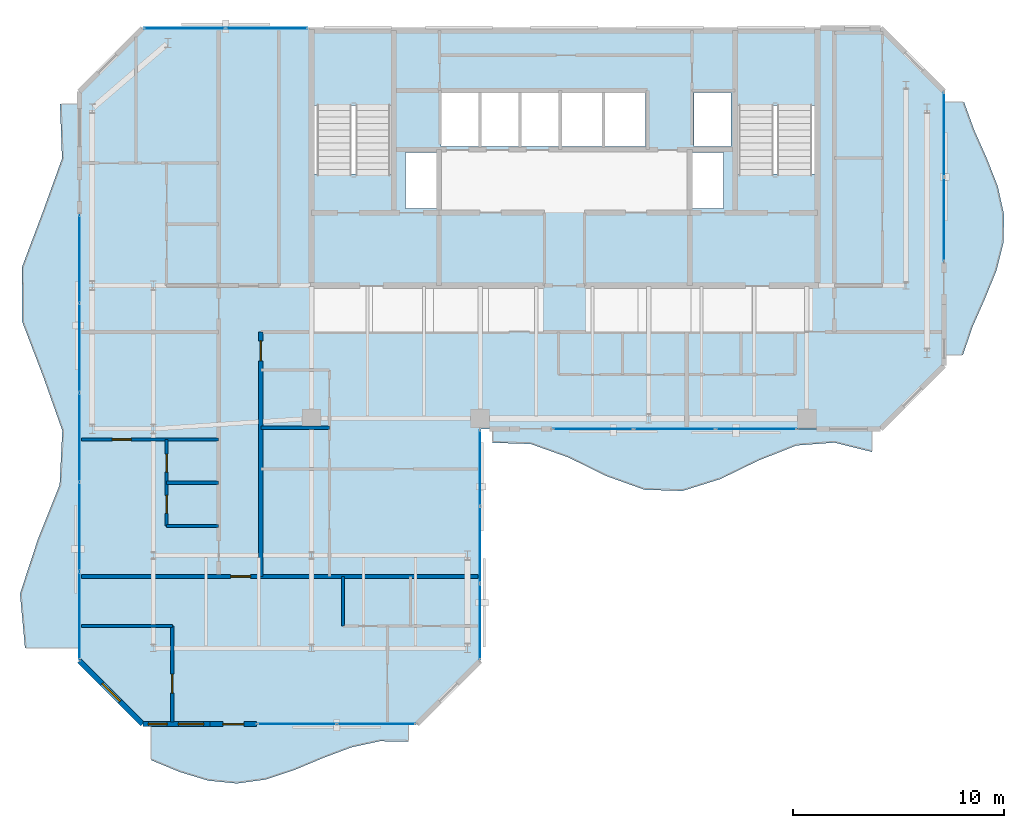
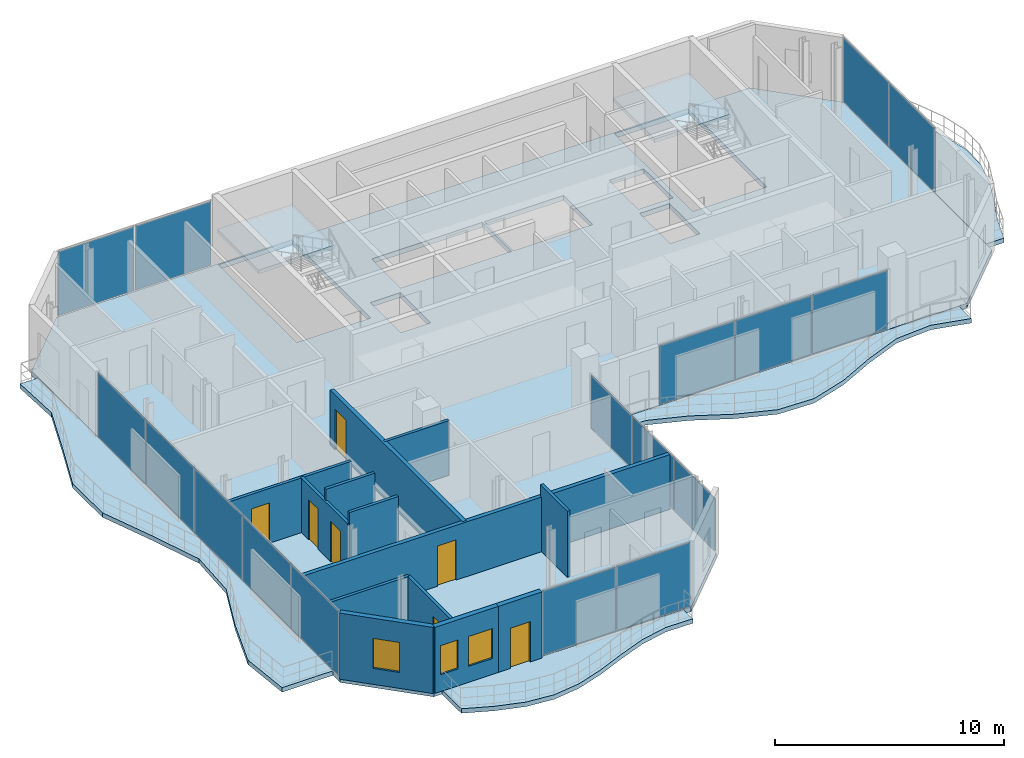
# One storey, part 17 of 22: 17 plates, 13 walls, 7 doors, 7 slabs, 3 windows, 10 openings, 8 elements without a shape of their own.
"""IFC4 building model written with IfcOpenShell, lengths in metres."""

from ifc_helpers import new_model, si_unit, direction, frame, frame_2d, origin, origin_2d, place, context, subcontext, project, spatial, polyline, rectangle, outline, extrude, material, layer, layer_set, type_object, element, fill, aggregate, save


model = new_model("IFC4")

# Units and contexts
model_context = context("Model", 3, precision=1e-05, world=origin(), true_north=direction((0.0, 1.0)))
body_context = subcontext(model_context, "Body", "Model", "MODEL_VIEW")
ifc_project = project(units=[si_unit("LENGTHUNIT", "METRE"), si_unit("AREAUNIT", "SQUARE_METRE"), si_unit("VOLUMEUNIT", "CUBIC_METRE"), si_unit("PLANEANGLEUNIT", "RADIAN"), si_unit("MASSUNIT", "GRAM", prefix="KILO")], contexts=[model_context])

# Site, building, storey
site_placement = place(None, origin())
site = spatial("IfcSite", under=ifc_project, at=site_placement, CompositionType="ELEMENT")
building_placement = place(site_placement, origin())
building = spatial("IfcBuilding", under=site, at=building_placement, Name="Catumbela Crestline Tower", CompositionType="ELEMENT")
storey_placement = place(building_placement, frame((0.0, 0.0, 226.0)))
storey = spatial("IfcBuildingStorey", under=building, at=storey_placement, Name="L58", CompositionType="ELEMENT", Elevation=226.0)

# Curtain wall, plates
ifc_material_1 = material(Name="Aluminium alloy AW-6060-T66", Category="aluminium")
ifc_layer_1 = layer(ifc_material_1, 0.18, Name="Aluminium alloy AW-6060-T66")
ifc_layer_set_1 = layer_set([ifc_layer_1], Name="Aluminium alloy AW-6060-T66")
curtain_wall_type = type_object("IfcCurtainWallType", Name="CWU-Z4", PredefinedType="USERDEFINED", material=ifc_layer_set_1)
curtain_wall_1_placement = place(storey_placement, origin())
curtain_wall_1 = element("IfcCurtainWall", 1, at=curtain_wall_1_placement, inside=storey, type_object=curtain_wall_type, Name="L58 Unitised Curtain Wall CW-L58-E0S2", ObjectType="UNITISED", PredefinedType="USERDEFINED")
ifc_material_2 = material(Name="Low-E laminated solar-control double glazing", Category="glass")
ifc_layer_2 = layer(ifc_material_2, 0.036, Name="Low-E laminated solar-control double glazing")
ifc_layer_set_2 = layer_set([ifc_layer_2], Name="Low-E laminated solar-control double glazing")
plate_type = type_object("IfcPlateType", Name="PNL-GLZ-Z4", PredefinedType="CURTAIN_PANEL", material=ifc_layer_set_2)
plate_1_placement = place(storey_placement, frame((15.3162, 10.0, 0.06), z_axis=(0.0, 0.0, 1.0), x_axis=(1.0, 0.0, 0.0)))
plate_1 = element("IfcPlate", 2, at=plate_1_placement, type_object=plate_type, Name="CWU-Z4 panel 1.1", PredefinedType="CURTAIN_PANEL", context=body_context, shape_type="SweptSolid", body=[
    extrude(rectangle(XDim=3.7025, YDim=0.034, at=origin_2d()), origin(), (0.0, 0.0, 1.0), 3.41),
])
plate_2_placement = place(storey_placement, frame((19.0837, 10.0, 0.06), z_axis=(0.0, 0.0, 1.0), x_axis=(1.0, 0.0, 0.0)))
plate_2 = element("IfcPlate", 3, at=plate_2_placement, type_object=plate_type, Name="CWU-Z4 panel 2.1", PredefinedType="CURTAIN_PANEL", context=body_context, shape_type="SweptSolid", body=[
    extrude(rectangle(XDim=3.7025, YDim=0.034, at=origin_2d()), origin(), (0.0, 0.0, 1.0), 3.41),
])
aggregate(curtain_wall_1, [plate_1, plate_2])

curtain_wall_2_placement = place(storey_placement, origin())
curtain_wall_2 = element("IfcCurtainWall", 4, at=curtain_wall_2_placement, inside=storey, type_object=curtain_wall_type, Name="L58 Unitised Curtain Wall CW-L58-E2S1", ObjectType="UNITISED", PredefinedType="USERDEFINED")
plate_3_placement = place(storey_placement, frame((24.0, 14.8496, 0.06), z_axis=(0.0, 0.0, 1.0), x_axis=(0.0, 1.0, 0.0)))
plate_3 = element("IfcPlate", 5, at=plate_3_placement, type_object=plate_type, Name="CWU-Z4 panel 1.1", PredefinedType="CURTAIN_PANEL", context=body_context, shape_type="SweptSolid", body=[
    extrude(rectangle(XDim=3.5692, YDim=0.034, at=origin_2d()), origin(), (0.0, 0.0, 1.0), 2.8),
])
plate_4_placement = place(storey_placement, frame((24.0, 18.5, 0.06), z_axis=(0.0, 0.0, 1.0), x_axis=(0.0, 1.0, 0.0)))
plate_4 = element("IfcPlate", 6, at=plate_4_placement, type_object=plate_type, Name="CWU-Z4 panel 2.1", PredefinedType="CURTAIN_PANEL", context=body_context, shape_type="SweptSolid", body=[
    extrude(rectangle(XDim=3.6017, YDim=0.034, at=origin_2d()), origin(), (0.0, 0.0, 1.0), 2.8),
])
plate_5_placement = place(storey_placement, frame((24.0, 22.1504, 0.06), z_axis=(0.0, 0.0, 1.0), x_axis=(0.0, 1.0, 0.0)))
plate_5 = element("IfcPlate", 7, at=plate_5_placement, type_object=plate_type, Name="CWU-Z4 panel 3.1", PredefinedType="CURTAIN_PANEL", context=body_context, shape_type="SweptSolid", body=[
    extrude(rectangle(XDim=3.5692, YDim=0.034, at=origin_2d()), origin(), (0.0, 0.0, 1.0), 2.8),
])
aggregate(curtain_wall_2, [plate_3, plate_4, plate_5])

curtain_wall_3_placement = place(storey_placement, origin())
curtain_wall_3 = element("IfcCurtainWall", 8, at=curtain_wall_3_placement, inside=storey, type_object=curtain_wall_type, Name="L58 Unitised Curtain Wall CW-L58-E3S2", ObjectType="UNITISED", PredefinedType="USERDEFINED")
plate_6_placement = place(storey_placement, frame((29.3579, 24.0, 0.06), z_axis=(0.0, 0.0, 1.0), x_axis=(1.0, 0.0, 0.0)))
plate_6 = element("IfcPlate", 9, at=plate_6_placement, type_object=plate_type, Name="CWU-Z4 panel 1.1", PredefinedType="CURTAIN_PANEL", context=body_context, shape_type="SweptSolid", body=[
    extrude(rectangle(XDim=3.7858, YDim=0.034, at=origin_2d()), origin(), (0.0, 0.0, 1.0), 3.12),
])
plate_7_placement = place(storey_placement, frame((33.225, 24.0, 0.06), z_axis=(0.0, 0.0, 1.0), x_axis=(1.0, 0.0, 0.0)))
plate_7 = element("IfcPlate", 10, at=plate_7_placement, type_object=plate_type, Name="CWU-Z4 panel 2.1", PredefinedType="CURTAIN_PANEL", context=body_context, shape_type="SweptSolid", body=[
    extrude(rectangle(XDim=3.8183, YDim=0.034, at=origin_2d()), origin(), (0.0, 0.0, 1.0), 3.12),
])
plate_8_placement = place(storey_placement, frame((37.0921, 24.0, 0.06), z_axis=(0.0, 0.0, 1.0), x_axis=(1.0, 0.0, 0.0)))
plate_8 = element("IfcPlate", 11, at=plate_8_placement, type_object=plate_type, Name="CWU-Z4 panel 3.1", PredefinedType="CURTAIN_PANEL", context=body_context, shape_type="SweptSolid", body=[
    extrude(rectangle(XDim=3.7858, YDim=0.034, at=origin_2d()), origin(), (0.0, 0.0, 1.0), 3.12),
])
aggregate(curtain_wall_3, [plate_6, plate_7, plate_8])

curtain_wall_4_placement = place(storey_placement, origin())
curtain_wall_4 = element("IfcCurtainWall", 12, at=curtain_wall_4_placement, inside=storey, type_object=curtain_wall_type, Name="L58 Unitised Curtain Wall CW-L58-E5S2", ObjectType="UNITISED", PredefinedType="USERDEFINED")
plate_9_placement = place(storey_placement, frame((46.0, 33.9412, 0.06), z_axis=(0.0, 0.0, 1.0), x_axis=(0.0, 1.0, 0.0)))
plate_9 = element("IfcPlate", 13, at=plate_9_placement, type_object=plate_type, Name="CWU-Z4 panel 1.1", PredefinedType="CURTAIN_PANEL", context=body_context, shape_type="SweptSolid", body=[
    extrude(rectangle(XDim=3.9525, YDim=0.034, at=origin_2d()), origin(), (0.0, 0.0, 1.0), 3.41),
])
plate_10_placement = place(storey_placement, frame((46.0, 37.9588, 0.06), z_axis=(0.0, 0.0, 1.0), x_axis=(0.0, 1.0, 0.0)))
plate_10 = element("IfcPlate", 14, at=plate_10_placement, type_object=plate_type, Name="CWU-Z4 panel 2.1", PredefinedType="CURTAIN_PANEL", context=body_context, shape_type="SweptSolid", body=[
    extrude(rectangle(XDim=3.9525, YDim=0.034, at=origin_2d()), origin(), (0.0, 0.0, 1.0), 3.41),
])
aggregate(curtain_wall_4, [plate_9, plate_10])

curtain_wall_5_placement = place(storey_placement, origin())
curtain_wall_5 = element("IfcCurtainWall", 15, at=curtain_wall_5_placement, inside=storey, type_object=curtain_wall_type, Name="L58 Unitised Curtain Wall CW-L58-E7S2", ObjectType="UNITISED", PredefinedType="USERDEFINED")
plate_11_placement = place(storey_placement, frame((13.8788, 43.0, 0.06), z_axis=(0.0, 0.0, 1.0), x_axis=(-1.0, 0.0, 0.0)))
plate_11 = element("IfcPlate", 16, at=plate_11_placement, type_object=plate_type, Name="CWU-Z4 panel 1.1", PredefinedType="CURTAIN_PANEL", context=body_context, shape_type="SweptSolid", body=[
    extrude(rectangle(XDim=3.8325, YDim=0.034, at=origin_2d()), origin(), (0.0, 0.0, 1.0), 3.41),
])
plate_12_placement = place(storey_placement, frame((9.9812, 43.0, 0.06), z_axis=(0.0, 0.0, 1.0), x_axis=(-1.0, 0.0, 0.0)))
plate_12 = element("IfcPlate", 17, at=plate_12_placement, type_object=plate_type, Name="CWU-Z4 panel 2.1", PredefinedType="CURTAIN_PANEL", context=body_context, shape_type="SweptSolid", body=[
    extrude(rectangle(XDim=3.8325, YDim=0.034, at=origin_2d()), origin(), (0.0, 0.0, 1.0), 3.41),
])
aggregate(curtain_wall_5, [plate_11, plate_12])

curtain_wall_6_placement = place(storey_placement, origin())
curtain_wall_6 = element("IfcCurtainWall", 18, at=curtain_wall_6_placement, inside=storey, type_object=curtain_wall_type, Name="L58 Unitised Curtain Wall CW-L58-E9S2", ObjectType="UNITISED", PredefinedType="USERDEFINED")
plate_13_placement = place(storey_placement, frame((5.0, 32.0638, 0.06), z_axis=(0.0, 0.0, 1.0), x_axis=(0.0, -1.0, 0.0)))
plate_13 = element("IfcPlate", 19, at=plate_13_placement, type_object=plate_type, Name="CWU-Z4 panel 1.1", PredefinedType="CURTAIN_PANEL", context=body_context, shape_type="SweptSolid", body=[
    extrude(rectangle(XDim=4.1425, YDim=0.034, at=origin_2d()), origin(), (0.0, 0.0, 1.0), 3.41),
])
plate_14_placement = place(storey_placement, frame((5.0, 27.84, 0.06), z_axis=(0.0, 0.0, 1.0), x_axis=(0.0, -1.0, 0.0)))
plate_14 = element("IfcPlate", 20, at=plate_14_placement, type_object=plate_type, Name="CWU-Z4 panel 2.1", PredefinedType="CURTAIN_PANEL", context=body_context, shape_type="SweptSolid", body=[
    extrude(rectangle(XDim=4.175, YDim=0.034, at=origin_2d()), origin(), (0.0, 0.0, 1.0), 3.41),
])
plate_15_placement = place(storey_placement, frame((5.0, 23.6, 0.06), z_axis=(0.0, 0.0, 1.0), x_axis=(0.0, -1.0, 0.0)))
plate_15 = element("IfcPlate", 21, at=plate_15_placement, type_object=plate_type, Name="CWU-Z4 panel 3.1", PredefinedType="CURTAIN_PANEL", context=body_context, shape_type="SweptSolid", body=[
    extrude(rectangle(XDim=4.175, YDim=0.034, at=origin_2d()), origin(), (0.0, 0.0, 1.0), 3.41),
])
plate_16_placement = place(storey_placement, frame((5.0, 19.36, 0.06), z_axis=(0.0, 0.0, 1.0), x_axis=(0.0, -1.0, 0.0)))
plate_16 = element("IfcPlate", 22, at=plate_16_placement, type_object=plate_type, Name="CWU-Z4 panel 4.1", PredefinedType="CURTAIN_PANEL", context=body_context, shape_type="SweptSolid", body=[
    extrude(rectangle(XDim=4.175, YDim=0.034, at=origin_2d()), origin(), (0.0, 0.0, 1.0), 3.41),
])
plate_17_placement = place(storey_placement, frame((5.0, 15.1362, 0.06), z_axis=(0.0, 0.0, 1.0), x_axis=(0.0, -1.0, 0.0)))
plate_17 = element("IfcPlate", 23, at=plate_17_placement, type_object=plate_type, Name="CWU-Z4 panel 5.1", PredefinedType="CURTAIN_PANEL", context=body_context, shape_type="SweptSolid", body=[
    extrude(rectangle(XDim=4.1425, YDim=0.034, at=origin_2d()), origin(), (0.0, 0.0, 1.0), 3.41),
])
aggregate(curtain_wall_6, [plate_13, plate_14, plate_15, plate_16, plate_17])

# Stair, slab
ifc_material_3 = material(Name="Concrete C45/55", Category="concrete")
stair_type = type_object("IfcStairType", Name="ST-DLG", PredefinedType="HALF_TURN_STAIR", material=ifc_material_3)
stair_1_placement = place(storey_placement, origin())
stair_1 = element("IfcStair", 24, at=stair_1_placement, inside=storey, type_object=stair_type, Name="L58 West Core Pressurised Exit Stair ST-01", PredefinedType="HALF_TURN_STAIR")
ifc_layer_3 = layer(ifc_material_3, 0.2, Name="Concrete C45/55")
ifc_layer_set_3 = layer_set([ifc_layer_3], Name="Concrete C45/55")
slab_type_1 = type_object("IfcSlabType", Name="SL-LND", PredefinedType="LANDING", material=ifc_layer_set_3)
slab_1_placement = place(storey_placement, frame((0.0, 0.0, 1.7)))
slab_1 = element("IfcSlab", 25, at=slab_1_placement, type_object=slab_type_1, Name="ST-01 landing 1", PredefinedType="LANDING", context=body_context, shape_type="SweptSolid", body=[
    extrude(outline(polyline([(19.91, 39.33), (19.91, 42.96), (16.09, 42.96), (16.09, 39.33), (19.91, 39.33)])), origin(), (0.0, 0.0, 1.0), 0.2),
])
aggregate(stair_1, [slab_1])

stair_2_placement = place(storey_placement, origin())
stair_2 = element("IfcStair", 26, at=stair_2_placement, inside=storey, type_object=stair_type, Name="L58 East Core Pressurised Exit Stair ST-02", PredefinedType="HALF_TURN_STAIR")
slab_2_placement = place(storey_placement, frame((0.0, 0.0, 1.7)))
slab_2 = element("IfcSlab", 27, at=slab_2_placement, type_object=slab_type_1, Name="ST-02 landing 1", PredefinedType="LANDING", context=body_context, shape_type="SweptSolid", body=[
    extrude(outline(polyline([(39.91, 39.33), (39.91, 42.96), (36.09, 42.96), (36.09, 39.33), (39.91, 39.33)])), origin(), (0.0, 0.0, 1.0), 0.2),
])
aggregate(stair_2, [slab_2])

# Slabs
ifc_layer_4 = layer(ifc_material_3, 0.26, Name="Concrete C45/55")
ifc_layer_set_4 = layer_set([ifc_layer_4], Name="Concrete C45/55")
slab_type_2 = type_object("IfcSlabType", Name="SL-260", PredefinedType="FLOOR", material=ifc_layer_set_4)
slab_3_placement = place(storey_placement, frame((0.0, 0.0, -0.26)))
element("IfcSlab", 28, at=slab_3_placement, inside=storey, type_object=slab_type_2, Name="L58 Structural Floor Slab", PredefinedType="FLOOR", context=body_context, shape_type="SweptSolid", body=[
    extrude(outline(polyline([(8.0, 10.0), (21.0, 10.0), (24.0, 13.0), (24.0, 24.0), (43.0, 24.0), (46.0, 27.0), (46.0, 40.0), (43.0, 43.0), (8.0, 43.0), (5.0, 40.0), (5.0, 13.0), (8.0, 10.0)]), holes=[polyline([(16.13, 36.08), (19.87, 36.08), (19.87, 42.92), (16.13, 42.92), (16.13, 36.08)]), polyline([(36.13, 36.08), (39.87, 36.08), (39.87, 42.92), (36.13, 42.92), (36.13, 36.08)]), polyline([(22.15, 37.4), (27.75, 37.4), (27.75, 39.95), (22.15, 39.95), (22.15, 37.4)]), polyline([(27.85, 37.4), (31.85, 37.4), (31.85, 39.95), (27.85, 39.95), (27.85, 37.4)]), polyline([(20.45, 34.45), (21.95, 34.45), (21.95, 37.1), (20.45, 37.1), (20.45, 34.45)]), polyline([(34.05, 34.45), (35.55, 34.45), (35.55, 37.1), (34.05, 37.1), (34.05, 34.45)]), polyline([(34.15, 37.4), (35.9, 37.4), (35.9, 39.95), (34.15, 39.95), (34.15, 37.4)])]), origin(), (0.0, 0.0, 1.0), 0.26),
])
ifc_layer_5 = layer(ifc_material_3, 0.24, Name="Concrete C45/55")
ifc_layer_set_5 = layer_set([ifc_layer_5], Name="Concrete C45/55")
slab_type_3 = type_object("IfcSlabType", Name="SB-240W", PredefinedType="USERDEFINED", material=ifc_layer_set_5)
slab_4_placement = place(storey_placement, frame((0.0, 0.0, -0.24)))
element("IfcSlab", 29, at=slab_4_placement, inside=storey, type_object=slab_type_3, Name="L58 Cantilevered Wave Balcony Slab SPINE-S", ObjectType="BALCONY", PredefinedType="USERDEFINED", context=body_context, shape_type="SweptSolid", body=[
    extrude(outline(polyline([(24.6, 23.3413), (26.4, 23.2858), (28.2, 22.6417), (30.0, 21.7583), (31.8, 21.1142), (33.6, 21.0587), (35.4, 21.6219), (37.2, 22.4984), (39.0, 23.2132), (40.8, 23.35), (42.6, 22.9053), (42.6, 23.99), (24.6, 23.99), (24.6, 23.3413)])), origin(), (0.0, 0.0, 1.0), 0.24),
])
slab_5_placement = place(storey_placement, frame((0.0, 0.0, -0.24)))
element("IfcSlab", 30, at=slab_5_placement, inside=storey, type_object=slab_type_3, Name="L58 Cantilevered Wave Balcony Slab SPINE-E", ObjectType="BALCONY", PredefinedType="USERDEFINED", context=body_context, shape_type="SweptSolid", body=[
    extrude(outline(polyline([(46.01, 27.5), (46.9001, 27.5), (47.3533, 28.8333), (47.9422, 30.1667), (48.4879, 31.5), (48.8246, 32.8333), (48.8499, 34.1667), (48.5561, 35.5), (48.0325, 36.8333), (47.4383, 38.1667), (46.954, 39.5), (46.01, 39.5), (46.01, 27.5)])), origin(), (0.0, 0.0, 1.0), 0.24),
])
slab_6_placement = place(storey_placement, frame((0.0, 0.0, -0.24)))
element("IfcSlab", 31, at=slab_6_placement, inside=storey, type_object=slab_type_3, Name="L58 Cantilevered Wave Balcony Slab WING-S", ObjectType="BALCONY", PredefinedType="USERDEFINED", context=body_context, shape_type="SweptSolid", body=[
    extrude(outline(polyline([(8.4, 8.2866), (9.7556, 7.7264), (11.1111, 7.3149), (12.4667, 7.1812), (13.8222, 7.3672), (15.1778, 7.8146), (16.5333, 8.3829), (17.8889, 8.8939), (19.2444, 9.1871), (20.6, 9.1704), (20.6, 9.99), (8.4, 9.99), (8.4, 8.2866)])), origin(), (0.0, 0.0, 1.0), 0.24),
])
slab_7_placement = place(storey_placement, frame((0.0, 0.0, -0.24)))
element("IfcSlab", 32, at=slab_7_placement, inside=storey, type_object=slab_type_3, Name="L58 Cantilevered Wave Balcony Slab WEST", ObjectType="BALCONY", PredefinedType="USERDEFINED", context=body_context, shape_type="SweptSolid", body=[
    extrude(outline(polyline([(4.99, 39.4), (4.0749, 39.4), (4.1705, 36.82), (3.2388, 34.24), (2.266, 31.66), (2.2819, 29.08), (3.2697, 26.5), (4.1837, 23.92), (4.0563, 21.34), (3.0225, 18.76), (2.1765, 16.18), (2.414, 13.6), (4.99, 13.6), (4.99, 39.4)])), origin(), (0.0, 0.0, 1.0), 0.24),
])

# Wall, opening, door
ifc_material_4 = material(Name="Acoustic gypsum and mineral-wool partition")
ifc_layer_6 = layer(ifc_material_4, 0.2, Name="Acoustic gypsum and mineral-wool partition")
ifc_layer_set_6 = layer_set([ifc_layer_6], Name="Acoustic gypsum and mineral-wool partition")
wall_type_1 = type_object("IfcWallType", Name="WC-200", PredefinedType="PARTITIONING", material=ifc_layer_set_6)
wall_1_placement = place(storey_placement, frame((13.6, 17.0, 0.0), z_axis=(0.0, 0.0, 1.0), x_axis=(0.0, 1.0, 0.0)))
wall_1 = element("IfcWall", 33, at=wall_1_placement, inside=storey, type_object=wall_type_1, Name="L58 Interior Partition PW-L58-WR1-ENT", PredefinedType="PARTITIONING", context=body_context, shape_type="SweptSolid", body=[
    extrude(rectangle(XDim=11.6, YDim=0.2, at=frame_2d((5.8, 0.0))), origin(), (0.0, 0.0, 1.0), 2.92),
])
opening_1_placement = place(wall_1_placement, frame((10.225, 0.0, 0.0)))
opening_1 = element("IfcOpeningElement", 34, at=opening_1_placement, cuts=wall_1, Name="Opening DF6-095", PredefinedType="OPENING", context=body_context, shape_type="SweptSolid", body=[
    extrude(rectangle(XDim=0.95, YDim=2.15, at=frame_2d((0.475, 1.075))), frame((0.0, 0.11, 0.0), z_axis=(0.0, -1.0, 0.0), x_axis=(1.0, 0.0, 0.0)), (0.0, 0.0, 1.0), 0.22),
])
door_type_1 = type_object("IfcDoorType", Name="DF6-095", OperationType="NOTDEFINED", PredefinedType="DOOR", material=ifc_material_1)
door_1_placement = place(opening_1_placement, origin())
door_1 = element("IfcDoor", 35, at=door_1_placement, inside=storey, type_object=door_type_1, Name="L58 Interior Door DR-L58-WR1-ENT", OperationType="SINGLE_SWING_LEFT", OverallHeight=2.15, OverallWidth=0.95, PredefinedType="DOOR", context=body_context, shape_type="SweptSolid", body=[
    extrude(rectangle(XDim=0.95, YDim=2.15, at=frame_2d((0.475, 1.075))), frame((0.0, 0.025, 0.0), z_axis=(0.0, -1.0, 0.0), x_axis=(1.0, 0.0, 0.0)), (0.0, 0.0, 1.0), 0.05),
])
fill(opening_1, door_1)

ifc_material_5 = material(Name="Angolan grey-ochre granite", Category="masonry")
ifc_layer_7 = layer(ifc_material_5, 0.25, Name="Angolan grey-ochre granite")
ifc_layer_set_7 = layer_set([ifc_layer_7], Name="Angolan grey-ochre granite")
wall_type_2 = type_object("IfcWallType", Name="WE-250", PredefinedType="STANDARD", material=ifc_layer_set_7)
wall_2_placement = place(storey_placement, frame((11.2, 10.0, 0.0), z_axis=(0.0, 0.0, 1.0), x_axis=(1.0, 0.0, 0.0)))
wall_2 = element("IfcWall", 36, at=wall_2_placement, inside=storey, type_object=wall_type_2, Name="L58 Exterior Threshold Portal Wall DR-L58-WBAL-3", PredefinedType="STANDARD", context=body_context, shape_type="SweptSolid", body=[
    extrude(rectangle(XDim=2.2, YDim=0.25, at=frame_2d((1.1, 0.0))), origin(), (0.0, 0.0, 1.0), 3.53),
])
opening_2_placement = place(wall_2_placement, frame((0.6, 0.0, 0.0)))
opening_2 = element("IfcOpeningElement", 37, at=opening_2_placement, cuts=wall_2, Name="Opening DB-L58-3", PredefinedType="OPENING", context=body_context, shape_type="SweptSolid", body=[
    extrude(rectangle(XDim=1.0, YDim=2.15, at=frame_2d((0.5, 1.075))), frame((0.0, 0.135, 0.0), z_axis=(0.0, -1.0, 0.0), x_axis=(1.0, 0.0, 0.0)), (0.0, 0.0, 1.0), 0.27),
])
door_type_2 = type_object("IfcDoorType", Name="DB-1000", OperationType="NOTDEFINED", PredefinedType="DOOR", material=ifc_material_1)
door_2_placement = place(opening_2_placement, origin())
door_2 = element("IfcDoor", 38, at=door_2_placement, inside=storey, type_object=door_type_2, Name="L58 Wave Balcony Terrace Door 3", OperationType="SINGLE_SWING_RIGHT", OverallHeight=2.15, OverallWidth=1.0, PredefinedType="DOOR", context=body_context, shape_type="SweptSolid", body=[
    extrude(rectangle(XDim=1.0, YDim=2.15, at=frame_2d((0.5, 1.075))), frame((0.0, 0.025, 0.0), z_axis=(0.0, -1.0, 0.0), x_axis=(1.0, 0.0, 0.0)), (0.0, 0.0, 1.0), 0.05),
])
fill(opening_2, door_2)

# Wall, openings, windows
wall_3_placement = place(storey_placement, frame((8.0, 10.0, 0.0), z_axis=(0.0, 0.0, 1.0), x_axis=(1.0, 0.0, 0.0)))
wall_3 = element("IfcWall", 39, at=wall_3_placement, inside=storey, type_object=wall_type_2, Name="L58 Granite Punched Window Wall 0-1", PredefinedType="STANDARD", context=body_context, shape_type="SweptSolid", body=[
    extrude(rectangle(XDim=3.2, YDim=0.25, at=frame_2d((1.6, 0.0))), origin(), (0.0, 0.0, 1.0), 3.53),
])
opening_3_placement = place(wall_3_placement, frame((0.26, 0.0, 0.9)))
opening_3 = element("IfcOpeningElement", 40, at=opening_3_placement, cuts=wall_3, Name="Opening WN-03", PredefinedType="OPENING", context=body_context, shape_type="SweptSolid", body=[
    extrude(rectangle(XDim=0.9, YDim=1.55, at=frame_2d((0.45, 0.775))), frame((0.0, 0.135, 0.0), z_axis=(0.0, -1.0, 0.0), x_axis=(1.0, 0.0, 0.0)), (0.0, 0.0, 1.0), 0.27),
])
opening_4_placement = place(wall_3_placement, frame((1.69, 0.0, 0.85)))
opening_4 = element("IfcOpeningElement", 41, at=opening_4_placement, cuts=wall_3, Name="Opening WN-02", PredefinedType="OPENING", context=body_context, shape_type="SweptSolid", body=[
    extrude(rectangle(XDim=1.2, YDim=1.6, at=frame_2d((0.6, 0.8))), frame((0.0, 0.135, 0.0), z_axis=(0.0, -1.0, 0.0), x_axis=(1.0, 0.0, 0.0)), (0.0, 0.0, 1.0), 0.27),
])
window_type_1 = type_object("IfcWindowType", Name="WO-0900", PartitioningType="SINGLE_PANEL", PredefinedType="WINDOW", material=ifc_material_2)
window_1_placement = place(opening_3_placement, origin())
window_1 = element("IfcWindow", 42, at=window_1_placement, inside=storey, type_object=window_type_1, Name="L58 Facade Vision Window 404", OverallHeight=1.55, OverallWidth=0.9, PartitioningType="SINGLE_PANEL", PredefinedType="WINDOW", context=body_context, shape_type="SweptSolid", body=[
    extrude(rectangle(XDim=0.9, YDim=1.55, at=frame_2d((0.45, 0.775))), frame((0.0, 0.03, 0.0), z_axis=(0.0, -1.0, 0.0), x_axis=(1.0, 0.0, 0.0)), (0.0, 0.0, 1.0), 0.06),
])
fill(opening_3, window_1)
window_type_2 = type_object("IfcWindowType", Name="WO-1200", PartitioningType="SINGLE_PANEL", PredefinedType="WINDOW", material=ifc_material_2)
window_2_placement = place(opening_4_placement, origin())
window_2 = element("IfcWindow", 43, at=window_2_placement, inside=storey, type_object=window_type_2, Name="L58 Facade Vision Window 405", OverallHeight=1.6, OverallWidth=1.2, PartitioningType="SINGLE_PANEL", PredefinedType="WINDOW", context=body_context, shape_type="SweptSolid", body=[
    extrude(rectangle(XDim=1.2, YDim=1.6, at=frame_2d((0.6, 0.8))), frame((0.0, 0.03, 0.0), z_axis=(0.0, -1.0, 0.0), x_axis=(1.0, 0.0, 0.0)), (0.0, 0.0, 1.0), 0.06),
])
fill(opening_4, window_2)

# Wall, opening, window
wall_4_placement = place(storey_placement, frame((5.0, 13.0, 0.0), z_axis=(0.0, 0.0, 1.0), x_axis=(0.707106781187, -0.707106781187, 0.0)))
wall_4 = element("IfcWall", 44, at=wall_4_placement, inside=storey, type_object=wall_type_2, Name="L58 Granite Punched Window Wall 10-1", PredefinedType="STANDARD", context=body_context, shape_type="SweptSolid", body=[
    extrude(rectangle(XDim=4.2426, YDim=0.25, at=frame_2d((2.1213, 0.0))), origin(), (0.0, 0.0, 1.0), 3.53),
])
opening_5_placement = place(wall_4_placement, frame((1.5213, 0.0, 0.85)))
opening_5 = element("IfcOpeningElement", 45, at=opening_5_placement, cuts=wall_4, Name="Opening WN-02", PredefinedType="OPENING", context=body_context, shape_type="SweptSolid", body=[
    extrude(rectangle(XDim=1.2, YDim=1.6, at=frame_2d((0.6, 0.8))), frame((0.0, 0.135, 0.0), z_axis=(0.0, -1.0, 0.0), x_axis=(1.0, 0.0, 0.0)), (0.0, 0.0, 1.0), 0.27),
])
window_3_placement = place(opening_5_placement, origin())
window_3 = element("IfcWindow", 46, at=window_3_placement, inside=storey, type_object=window_type_2, Name="L58 Facade Vision Window 414", OverallHeight=1.6, OverallWidth=1.2, PartitioningType="SINGLE_PANEL", PredefinedType="WINDOW", context=body_context, shape_type="SweptSolid", body=[
    extrude(rectangle(XDim=1.2, YDim=1.6, at=frame_2d((0.6, 0.8))), frame((0.0, 0.03, 0.0), z_axis=(0.0, -1.0, 0.0), x_axis=(1.0, 0.0, 0.0)), (0.0, 0.0, 1.0), 0.06),
])
fill(opening_5, window_3)

# Walls
ifc_layer_8 = layer(ifc_material_4, 0.15, Name="Acoustic gypsum and mineral-wool partition")
ifc_layer_set_8 = layer_set([ifc_layer_8], Name="Acoustic gypsum and mineral-wool partition")
wall_type_3 = type_object("IfcWallType", Name="WP-150", PredefinedType="PARTITIONING", material=ifc_layer_set_8)
for number, where, z_axis, x_axis, name in (
    (47, (9.13, 19.396, 0.0), (0.0, 0.0, 1.0), (1.0, 0.0, 0.0), "L58 Interior Partition PW-L58-WL1-KBS"),
    (48, (9.13, 21.446, 0.0), (0.0, 0.0, 1.0), (1.0, 0.0, 0.0), "L58 Interior Partition PW-L58-WL1-KBM"),
):
    element("IfcWall", number, at=place(storey_placement, frame(where, z_axis=z_axis, x_axis=x_axis)), inside=storey, type_object=wall_type_3, Name=name, PredefinedType="PARTITIONING", context=body_context, shape_type="SweptSolid", body=[
        extrude(rectangle(XDim=2.47, YDim=0.15, at=frame_2d((1.235, 0.0))), origin(), (0.0, 0.0, 1.0), 3.53),
    ])

# Wall, opening, door
wall_5_placement = place(storey_placement, frame((5.1, 23.496, 0.0), z_axis=(0.0, 0.0, 1.0), x_axis=(1.0, 0.0, 0.0)))
wall_5 = element("IfcWall", 49, at=wall_5_placement, inside=storey, type_object=wall_type_3, Name="L58 Interior Partition PW-L58-WL1-KBN", PredefinedType="PARTITIONING", context=body_context, shape_type="SweptSolid", body=[
    extrude(rectangle(XDim=6.5, YDim=0.15, at=frame_2d((3.25, 0.0))), origin(), (0.0, 0.0, 1.0), 2.92),
])
opening_6_placement = place(wall_5_placement, frame((1.4533, 0.0, 0.0)))
opening_6 = element("IfcOpeningElement", 50, at=opening_6_placement, cuts=wall_5, Name="Opening DI-090", PredefinedType="OPENING", context=body_context, shape_type="SweptSolid", body=[
    extrude(rectangle(XDim=0.9, YDim=2.15, at=frame_2d((0.45, 1.075))), frame((0.0, 0.085, 0.0), z_axis=(0.0, -1.0, 0.0), x_axis=(1.0, 0.0, 0.0)), (0.0, 0.0, 1.0), 0.17),
])
door_type_3 = type_object("IfcDoorType", Name="DI-090", OperationType="NOTDEFINED", PredefinedType="DOOR", material=ifc_material_1)
door_3_placement = place(opening_6_placement, origin())
door_3 = element("IfcDoor", 51, at=door_3_placement, inside=storey, type_object=door_type_3, Name="L58 Interior Door DR-L58-WL1-BD1", OperationType="SINGLE_SWING_RIGHT", OverallHeight=2.15, OverallWidth=0.9, PredefinedType="DOOR", context=body_context, shape_type="SweptSolid", body=[
    extrude(rectangle(XDim=0.9, YDim=2.15, at=frame_2d((0.45, 1.075))), frame((0.0, 0.025, 0.0), z_axis=(0.0, -1.0, 0.0), x_axis=(1.0, 0.0, 0.0)), (0.0, 0.0, 1.0), 0.05),
])
fill(opening_6, door_3)

# Wall, openings, doors
wall_6_placement = place(storey_placement, frame((9.13, 19.396, 0.0), z_axis=(0.0, 0.0, 1.0), x_axis=(0.0, 1.0, 0.0)))
wall_6 = element("IfcWall", 52, at=wall_6_placement, inside=storey, type_object=wall_type_3, Name="L58 Interior Partition PW-L58-WL1-LK", PredefinedType="PARTITIONING", context=body_context, shape_type="SweptSolid", body=[
    extrude(rectangle(XDim=4.1, YDim=0.15, at=frame_2d((2.05, 0.0))), origin(), (0.0, 0.0, 1.0), 2.92),
])
opening_7_placement = place(wall_6_placement, frame((0.6, 0.0, 0.0)))
opening_7 = element("IfcOpeningElement", 53, at=opening_7_placement, cuts=wall_6, Name="Opening DI-085", PredefinedType="OPENING", context=body_context, shape_type="SweptSolid", body=[
    extrude(rectangle(XDim=0.85, YDim=2.15, at=frame_2d((0.425, 1.075))), frame((0.0, 0.085, 0.0), z_axis=(0.0, -1.0, 0.0), x_axis=(1.0, 0.0, 0.0)), (0.0, 0.0, 1.0), 0.17),
])
opening_8_placement = place(wall_6_placement, frame((2.5529, 0.0, 0.0)))
opening_8 = element("IfcOpeningElement", 54, at=opening_8_placement, cuts=wall_6, Name="Opening DI-085", PredefinedType="OPENING", context=body_context, shape_type="SweptSolid", body=[
    extrude(rectangle(XDim=0.85, YDim=2.15, at=frame_2d((0.425, 1.075))), frame((0.0, 0.085, 0.0), z_axis=(0.0, -1.0, 0.0), x_axis=(1.0, 0.0, 0.0)), (0.0, 0.0, 1.0), 0.17),
])
door_type_4 = type_object("IfcDoorType", Name="DI-085", OperationType="NOTDEFINED", PredefinedType="DOOR", material=ifc_material_1)
door_4_placement = place(opening_7_placement, origin())
door_4 = element("IfcDoor", 55, at=door_4_placement, inside=storey, type_object=door_type_4, Name="L58 Interior Door DR-L58-WL1-KIT", OperationType="SINGLE_SWING_LEFT", OverallHeight=2.15, OverallWidth=0.85, PredefinedType="DOOR", context=body_context, shape_type="SweptSolid", body=[
    extrude(rectangle(XDim=0.85, YDim=2.15, at=frame_2d((0.425, 1.075))), frame((0.0, 0.025, 0.0), z_axis=(0.0, -1.0, 0.0), x_axis=(1.0, 0.0, 0.0)), (0.0, 0.0, 1.0), 0.05),
])
fill(opening_7, door_4)
door_5_placement = place(opening_8_placement, origin())
door_5 = element("IfcDoor", 56, at=door_5_placement, inside=storey, type_object=door_type_4, Name="L58 Interior Door DR-L58-WL1-BTH", OperationType="SINGLE_SWING_LEFT", OverallHeight=2.15, OverallWidth=0.85, PredefinedType="DOOR", context=body_context, shape_type="SweptSolid", body=[
    extrude(rectangle(XDim=0.85, YDim=2.15, at=frame_2d((0.425, 1.075))), frame((0.0, 0.025, 0.0), z_axis=(0.0, -1.0, 0.0), x_axis=(1.0, 0.0, 0.0)), (0.0, 0.0, 1.0), 0.05),
])
fill(opening_8, door_5)

# Walls
wall_7_placement = place(storey_placement, frame((13.6, 24.054, 0.0), z_axis=(0.0, 0.0, 1.0), x_axis=(1.0, 0.0, 0.0)))
element("IfcWall", 57, at=wall_7_placement, inside=storey, type_object=wall_type_3, Name="L58 Interior Partition PW-L58-WR1-KBM", PredefinedType="PARTITIONING", context=body_context, shape_type="SweptSolid", body=[
    extrude(rectangle(XDim=3.25, YDim=0.15, at=frame_2d((1.625, 0.0))), origin(), (0.0, 0.0, 1.0), 2.92),
])
wall_8_placement = place(storey_placement, frame((17.5, 14.65, 0.0), z_axis=(0.0, 0.0, 1.0), x_axis=(0.0, 1.0, 0.0)))
element("IfcWall", 58, at=wall_8_placement, inside=storey, type_object=wall_type_3, Name="L58 Interior Partition PW-L58-SH1-KBW", PredefinedType="PARTITIONING", context=body_context, shape_type="SweptSolid", body=[
    extrude(rectangle(XDim=2.35, YDim=0.15, at=frame_2d((1.175, 0.0))), origin(), (0.0, 0.0, 1.0), 3.53),
])
wall_9_placement = place(storey_placement, frame((5.1, 14.65, 0.0), z_axis=(0.0, 0.0, 1.0), x_axis=(1.0, 0.0, 0.0)))
element("IfcWall", 59, at=wall_9_placement, inside=storey, type_object=wall_type_3, Name="L58 Interior Partition PW-L58-SH1-BDLH", PredefinedType="PARTITIONING", context=body_context, shape_type="SweptSolid", body=[
    extrude(rectangle(XDim=4.3, YDim=0.15, at=frame_2d((2.15, 0.0))), origin(), (0.0, 0.0, 1.0), 2.92),
])

# Wall, opening, door
wall_10_placement = place(storey_placement, frame((9.4, 10.1, 0.0), z_axis=(0.0, 0.0, 1.0), x_axis=(0.0, 1.0, 0.0)))
wall_10 = element("IfcWall", 60, at=wall_10_placement, inside=storey, type_object=wall_type_3, Name="L58 Interior Partition PW-L58-SH1-BDL", PredefinedType="PARTITIONING", context=body_context, shape_type="SweptSolid", body=[
    extrude(rectangle(XDim=4.55, YDim=0.15, at=frame_2d((2.275, 0.0))), origin(), (0.0, 0.0, 1.0), 2.92),
])
opening_9_placement = place(wall_10_placement, frame((1.3648, 0.0, 0.0)))
opening_9 = element("IfcOpeningElement", 61, at=opening_9_placement, cuts=wall_10, Name="Opening DI-090", PredefinedType="OPENING", context=body_context, shape_type="SweptSolid", body=[
    extrude(rectangle(XDim=0.9, YDim=2.15, at=frame_2d((0.45, 1.075))), frame((0.0, 0.085, 0.0), z_axis=(0.0, -1.0, 0.0), x_axis=(1.0, 0.0, 0.0)), (0.0, 0.0, 1.0), 0.17),
])
door_6_placement = place(opening_9_placement, origin())
door_6 = element("IfcDoor", 62, at=door_6_placement, inside=storey, type_object=door_type_3, Name="L58 Interior Door DR-L58-SH1-BD1", OperationType="SINGLE_SWING_LEFT", OverallHeight=2.15, OverallWidth=0.9, PredefinedType="DOOR", context=body_context, shape_type="SweptSolid", body=[
    extrude(rectangle(XDim=0.9, YDim=2.15, at=frame_2d((0.45, 1.075))), frame((0.0, 0.025, 0.0), z_axis=(0.0, -1.0, 0.0), x_axis=(1.0, 0.0, 0.0)), (0.0, 0.0, 1.0), 0.05),
])
fill(opening_9, door_6)

ifc_layer_9 = layer(ifc_material_4, 0.2, Name="Acoustic gypsum and mineral-wool partition")
ifc_layer_set_9 = layer_set([ifc_layer_9], Name="Acoustic gypsum and mineral-wool partition")
wall_type_4 = type_object("IfcWallType", Name="WY-200", PredefinedType="PARTITIONING", material=ifc_layer_set_9)
wall_11_placement = place(storey_placement, frame((5.1, 17.0, 0.0), z_axis=(0.0, 0.0, 1.0), x_axis=(1.0, 0.0, 0.0)))
wall_11 = element("IfcWall", 63, at=wall_11_placement, inside=storey, type_object=wall_type_4, Name="L58 Interior Partition PW-L58-SH-WL", PredefinedType="PARTITIONING", context=body_context, shape_type="SweptSolid", body=[
    extrude(rectangle(XDim=18.8, YDim=0.2, at=frame_2d((9.4, 0.0))), origin(), (0.0, 0.0, 1.0), 2.92),
])
opening_10_placement = place(wall_11_placement, frame((7.0626, 0.0, 0.0)))
opening_10 = element("IfcOpeningElement", 64, at=opening_10_placement, cuts=wall_11, Name="Opening DF6-095", PredefinedType="OPENING", context=body_context, shape_type="SweptSolid", body=[
    extrude(rectangle(XDim=0.95, YDim=2.15, at=frame_2d((0.475, 1.075))), frame((0.0, 0.11, 0.0), z_axis=(0.0, -1.0, 0.0), x_axis=(1.0, 0.0, 0.0)), (0.0, 0.0, 1.0), 0.22),
])
door_7_placement = place(opening_10_placement, origin())
door_7 = element("IfcDoor", 65, at=door_7_placement, inside=storey, type_object=door_type_1, Name="L58 Interior Door DR-L58-SH1-ENT", OperationType="SINGLE_SWING_LEFT", OverallHeight=2.15, OverallWidth=0.95, PredefinedType="DOOR", context=body_context, shape_type="SweptSolid", body=[
    extrude(rectangle(XDim=0.95, YDim=2.15, at=frame_2d((0.475, 1.075))), frame((0.0, 0.025, 0.0), z_axis=(0.0, -1.0, 0.0), x_axis=(1.0, 0.0, 0.0)), (0.0, 0.0, 1.0), 0.05),
])
fill(opening_10, door_7)

save(model, "model.ifc")
